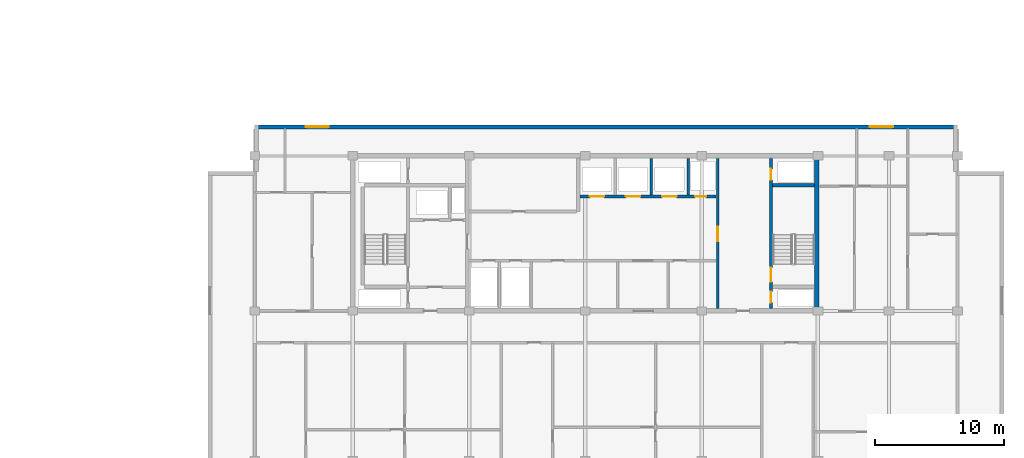
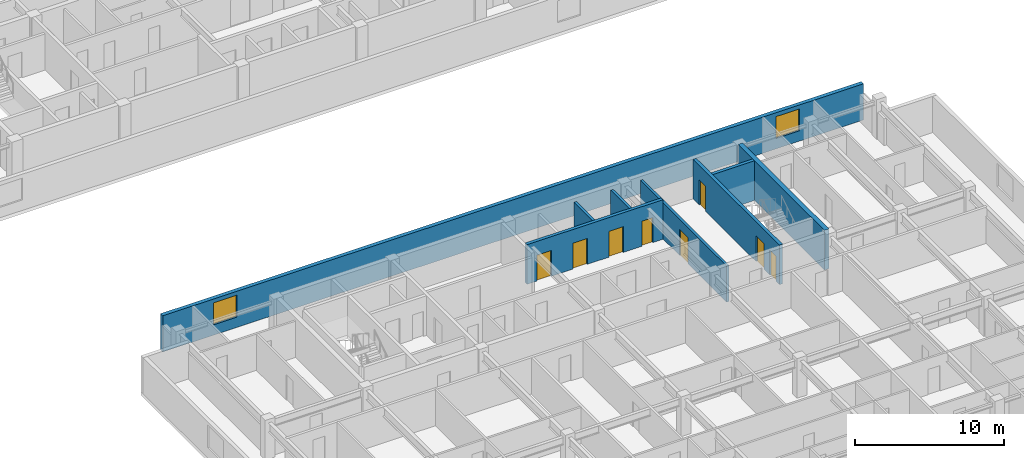
# One storey, part 8 of 23: 8 doors, 8 walls, 2 windows, 10 openings.
"""IFC4 building model written with IfcOpenShell, lengths in metres."""

from ifc_helpers import new_model, si_unit, direction, frame, frame_2d, origin, place, context, subcontext, project, spatial, rectangle, extrude, material, layer, layer_set, type_object, element, fill, save


model = new_model("IFC4")

# Units and contexts
model_context = context("Model", 3, precision=1e-05, world=origin(), true_north=direction((0.0, 1.0)))
body_context = subcontext(model_context, "Body", "Model", "MODEL_VIEW")
ifc_project = project(units=[si_unit("LENGTHUNIT", "METRE"), si_unit("AREAUNIT", "SQUARE_METRE"), si_unit("VOLUMEUNIT", "CUBIC_METRE"), si_unit("PLANEANGLEUNIT", "RADIAN"), si_unit("MASSUNIT", "GRAM", prefix="KILO")], contexts=[model_context])

# Site, building, storey
site_placement = place(None, origin())
site = spatial("IfcSite", under=ifc_project, at=site_placement, CompositionType="ELEMENT")
building_placement = place(site_placement, origin())
building = spatial("IfcBuilding", under=site, at=building_placement, Name="Korimba Cascade Residences", CompositionType="ELEMENT")
storey_placement = place(building_placement, frame((0.0, 0.0, 165.35009765625)))
storey = spatial("IfcBuildingStorey", under=building, at=storey_placement, Name="L47", CompositionType="ELEMENT", Elevation=165.35009765625)

# Wall, openings, windows
ifc_material_1 = material(Name="Precast concrete C40/50", Category="concrete")
ifc_layer_1 = layer(ifc_material_1, 0.300048828125)
ifc_layer_set_1 = layer_set([ifc_layer_1], Name="Precast concrete C40/50")
wall_type_1 = type_object("IfcWallType", Name="EW-STONE-300", PredefinedType="STANDARD", material=ifc_layer_set_1)
wall_1_placement = place(storey_placement, frame((128.89990234375, 32.64990234375, 0.0), z_axis=(0.0, 0.0, 1.0), x_axis=(-1.0, 0.0, 0.0)))
wall_1 = element("IfcWall", 1, at=wall_1_placement, inside=storey, type_object=wall_type_1, Name="L47 T2 Perimeter Stone Wall E06", PredefinedType="STANDARD", context=body_context, shape_type="SweptSolid", body=[
    extrude(rectangle(XDim=54.39990234375, YDim=0.300048828125, at=frame_2d((27.199951171875, 0.0))), origin(), (0.0, 0.0, 1.0), 2.969970703125),
])
opening_1_placement = place(wall_1_placement, frame((48.64990234375, 0.0, 0.85009765625)))
opening_1 = element("IfcOpeningElement", 2, at=opening_1_placement, cuts=wall_1, Name="Opening W-02", PredefinedType="OPENING", context=body_context, shape_type="SweptSolid", body=[
    extrude(rectangle(XDim=1.800048828125, YDim=1.800048828125, at=frame_2d((0.89990234375, 0.89990234375))), frame((0.0, 0.16015625, 0.0), z_axis=(0.0, -1.0, 0.0), x_axis=(1.0, 0.0, 0.0)), (0.0, 0.0, 1.0), 0.320068359375),
])
opening_2_placement = place(wall_1_placement, frame((4.97509765625, 0.0, 0.85009765625)))
opening_2 = element("IfcOpeningElement", 3, at=opening_2_placement, cuts=wall_1, Name="Opening W-02", PredefinedType="OPENING", context=body_context, shape_type="SweptSolid", body=[
    extrude(rectangle(XDim=1.800048828125, YDim=1.800048828125, at=frame_2d((0.89990234375, 0.89990234375))), frame((0.0, 0.16015625, 0.0), z_axis=(0.0, -1.0, 0.0), x_axis=(1.0, 0.0, 0.0)), (0.0, 0.0, 1.0), 0.320068359375),
])
ifc_material_2 = material(Name="Double-Glazed Aluminium Window", Category="aluminium")
window_type = type_object("IfcWindowType", Name="WIN-BED-1800", PartitioningType="SINGLE_PANEL", PredefinedType="WINDOW", material=ifc_material_2)
window_1_placement = place(opening_1_placement, origin())
window_1 = element("IfcWindow", 4, at=window_1_placement, inside=storey, type_object=window_type, Name="L47 T2 North Corner Bedroom Window 1", OverallHeight=1.800048828125, OverallWidth=1.800048828125, PartitioningType="SINGLE_PANEL", PredefinedType="WINDOW", context=body_context, shape_type="SweptSolid", body=[
    extrude(rectangle(XDim=1.800048828125, YDim=1.800048828125, at=frame_2d((0.89990234375, 0.89990234375))), frame((0.0, 0.030029296875, 0.0), z_axis=(0.0, -1.0, 0.0), x_axis=(1.0, 0.0, 0.0)), (0.0, 0.0, 1.0), 0.06005859375),
])
fill(opening_1, window_1)
window_2_placement = place(opening_2_placement, origin())
window_2 = element("IfcWindow", 5, at=window_2_placement, inside=storey, type_object=window_type, Name="L47 T2 North Corner Bedroom Window 2", OverallHeight=1.800048828125, OverallWidth=1.800048828125, PartitioningType="SINGLE_PANEL", PredefinedType="WINDOW", context=body_context, shape_type="SweptSolid", body=[
    extrude(rectangle(XDim=1.800048828125, YDim=1.800048828125, at=frame_2d((0.89990234375, 0.89990234375))), frame((0.0, 0.030029296875, 0.0), z_axis=(0.0, -1.0, 0.0), x_axis=(1.0, 0.0, 0.0)), (0.0, 0.0, 1.0), 0.06005859375),
])
fill(opening_2, window_2)

# Walls
ifc_material_3 = material(Name="Concrete C65/80", Category="concrete")
ifc_layer_2 = layer(ifc_material_3, 0.35009765625)
ifc_layer_set_2 = layer_set([ifc_layer_2], Name="Concrete C65/80")
wall_type_2 = type_object("IfcWallType", Name="WAL-CORE-350", PredefinedType="SHEAR", material=ifc_layer_set_2)
wall_2_placement = place(storey_placement, frame((118.014892578125, 18.574951171875, 0.0), z_axis=(0.0, 0.0, 1.0), x_axis=(0.0, 1.0, 0.0)))
element("IfcWall", 6, at=wall_2_placement, inside=storey, type_object=wall_type_2, Name="L47 Core Shear Wall CW-L47-T2-E", PredefinedType="SHEAR", context=body_context, shape_type="SweptSolid", body=[
    extrude(rectangle(XDim=11.650146484375, YDim=0.35009765625, at=frame_2d((5.8251953125, 0.0))), origin(), (0.0, 0.0, 1.0), 3.25),
])
ifc_material_4 = material(Name="Concrete C40/50", Category="concrete")
ifc_layer_3 = layer(ifc_material_4, 0.199951171875)
ifc_layer_set_3 = layer_set([ifc_layer_3], Name="Concrete C40/50")
wall_type_3 = type_object("IfcWallType", Name="WAL-PART-200", PredefinedType="PARTITIONING", material=ifc_layer_set_3)
for number, where, z_axis, x_axis, name in (
    (7, (105.199951171875, 27.3798828125, 0.0), (0.0, 0.0, 1.0), (0.0, 1.0, 0.0), "L47 Partition Wall CW-L47-T2-B2D2"),
    (8, (108.050048828125, 27.3798828125, 0.0), (0.0, 0.0, 1.0), (0.0, 1.0, 0.0), "L47 Partition Wall CW-L47-T2-B2D3"),
):
    element("IfcWall", number, at=place(storey_placement, frame(where, z_axis=z_axis, x_axis=x_axis)), inside=storey, type_object=wall_type_3, Name=name, PredefinedType="PARTITIONING", context=body_context, shape_type="SweptSolid", body=[
        extrude(rectangle(XDim=2.820068359375, YDim=0.199951171875, at=frame_2d((1.41015625, 0.0))), origin(), (0.0, 0.0, 1.0), 2.969970703125),
    ])

# Wall, opening, door
wall_3_placement = place(storey_placement, frame((110.35009765625, 18.60009765625, 0.0), z_axis=(0.0, 0.0, 1.0), x_axis=(0.0, 1.0, 0.0)))
wall_3 = element("IfcWall", 9, at=wall_3_placement, inside=storey, type_object=wall_type_3, Name="L47 Partition Wall CW-L47-T2-LLEV", PredefinedType="PARTITIONING", context=body_context, shape_type="SweptSolid", body=[
    extrude(rectangle(XDim=11.599853515625, YDim=0.199951171875, at=frame_2d((5.7998046875, 0.0))), origin(), (0.0, 0.0, 1.0), 2.969970703125),
])
opening_3_placement = place(wall_3_placement, frame((5.199951171875, 0.0, 0.0)))
opening_3 = element("IfcOpeningElement", 10, at=opening_3_placement, cuts=wall_3, Name="Opening D-FD6", PredefinedType="OPENING", context=body_context, shape_type="SweptSolid", body=[
    extrude(rectangle(XDim=1.10009765625, YDim=2.14990234375, at=frame_2d((0.550048828125, 1.074951171875))), frame((0.0, 0.10986328125, 0.0), z_axis=(0.0, -1.0, 0.0), x_axis=(1.0, 0.0, 0.0)), (0.0, 0.0, 1.0), 0.219970703125),
])
ifc_material_5 = material(Name="Fire-Rated Timber Stair Lobby Door", Category="wood")
door_type_1 = type_object("IfcDoorType", Name="DR-FD90-1100", OperationType="NOTDEFINED", PredefinedType="DOOR", material=ifc_material_5)
door_1_placement = place(opening_3_placement, origin())
door_1 = element("IfcDoor", 11, at=door_1_placement, inside=storey, type_object=door_type_1, Name="L47 T2 Lift Lobby to East Stair Lobby Door", OperationType="SINGLE_SWING_RIGHT", OverallHeight=2.14990234375, OverallWidth=1.10009765625, PredefinedType="DOOR", context=body_context, shape_type="SweptSolid", body=[
    extrude(rectangle(XDim=1.10009765625, YDim=2.14990234375, at=frame_2d((0.550048828125, 1.074951171875))), frame((0.0, 0.02490234375, 0.0), z_axis=(0.0, -1.0, 0.0), x_axis=(1.0, 0.0, 0.0)), (0.0, 0.0, 1.0), 0.050048828125),
])
fill(opening_3, door_1)

# Wall, openings, doors
ifc_material_6 = material(Name="Concrete C50/60", Category="concrete")
ifc_layer_4 = layer(ifc_material_6, 0.25)
ifc_layer_set_4 = layer_set([ifc_layer_4], Name="Concrete C50/60")
wall_type_4 = type_object("IfcWallType", Name="WAL-SHAFT-250", PredefinedType="SHEAR", material=ifc_layer_set_4)
wall_4_placement = place(storey_placement, frame((99.679931640625, 27.25, 0.0), z_axis=(0.0, 0.0, 1.0), x_axis=(1.0, 0.0, 0.0)))
wall_4 = element("IfcWall", 12, at=wall_4_placement, inside=storey, type_object=wall_type_4, Name="L47 Core Shear Wall CW-L47-T2-B2S", PredefinedType="SHEAR", context=body_context, shape_type="SweptSolid", body=[
    extrude(rectangle(XDim=10.5400390625, YDim=0.25, at=frame_2d((5.27001953125, 0.0))), origin(), (0.0, 0.0, 1.0), 3.25),
])
opening_4_placement = place(wall_4_placement, frame((0.760009765625, 0.0, 0.0)))
opening_4 = element("IfcOpeningElement", 13, at=opening_4_placement, cuts=wall_4, Name="Opening LD-01", PredefinedType="OPENING", context=body_context, shape_type="SweptSolid", body=[
    extrude(rectangle(XDim=1.1201171875, YDim=2.1201171875, at=frame_2d((0.56005859375, 1.06005859375))), frame((0.0, 0.135009765625, 0.0), z_axis=(0.0, -1.0, 0.0), x_axis=(1.0, 0.0, 0.0)), (0.0, 0.0, 1.0), 0.27001953125),
])
opening_5_placement = place(wall_4_placement, frame((3.56005859375, 0.0, 0.0)))
opening_5 = element("IfcOpeningElement", 14, at=opening_5_placement, cuts=wall_4, Name="Opening LD-01", PredefinedType="OPENING", context=body_context, shape_type="SweptSolid", body=[
    extrude(rectangle(XDim=1.1201171875, YDim=2.1201171875, at=frame_2d((0.56005859375, 1.06005859375))), frame((0.0, 0.135009765625, 0.0), z_axis=(0.0, -1.0, 0.0), x_axis=(1.0, 0.0, 0.0)), (0.0, 0.0, 1.0), 0.27001953125),
])
opening_6_placement = place(wall_4_placement, frame((6.360107421875, 0.0, 0.0)))
opening_6 = element("IfcOpeningElement", 15, at=opening_6_placement, cuts=wall_4, Name="Opening LD-01", PredefinedType="OPENING", context=body_context, shape_type="SweptSolid", body=[
    extrude(rectangle(XDim=1.1201171875, YDim=2.1201171875, at=frame_2d((0.56005859375, 1.06005859375))), frame((0.0, 0.135009765625, 0.0), z_axis=(0.0, -1.0, 0.0), x_axis=(1.0, 0.0, 0.0)), (0.0, 0.0, 1.0), 0.27001953125),
])
opening_7_placement = place(wall_4_placement, frame((8.919921875, 0.0, 0.0)))
opening_7 = element("IfcOpeningElement", 16, at=opening_7_placement, cuts=wall_4, Name="Opening D-RS1", PredefinedType="OPENING", context=body_context, shape_type="SweptSolid", body=[
    extrude(rectangle(XDim=0.85009765625, YDim=2.050048828125, at=frame_2d((0.425048828125, 1.02490234375))), frame((0.0, 0.135009765625, 0.0), z_axis=(0.0, -1.0, 0.0), x_axis=(1.0, 0.0, 0.0)), (0.0, 0.0, 1.0), 0.27001953125),
])
ifc_material_7 = material(Name="Fire-Rated Steel Riser Access Door", Category="steel")
door_type_2 = type_object("IfcDoorType", Name="DR-FD60-850", OperationType="NOTDEFINED", PredefinedType="DOOR", material=ifc_material_7)
door_2_placement = place(opening_7_placement, origin())
door_2 = element("IfcDoor", 17, at=door_2_placement, inside=storey, type_object=door_type_2, Name="L47 T2 Duct Door", OperationType="SINGLE_SWING_LEFT", OverallHeight=2.050048828125, OverallWidth=0.85009765625, PredefinedType="DOOR", context=body_context, shape_type="SweptSolid", body=[
    extrude(rectangle(XDim=0.85009765625, YDim=2.050048828125, at=frame_2d((0.425048828125, 1.02490234375))), frame((0.0, 0.02490234375, 0.0), z_axis=(0.0, -1.0, 0.0), x_axis=(1.0, 0.0, 0.0)), (0.0, 0.0, 1.0), 0.050048828125),
])
fill(opening_7, door_2)
ifc_material_8 = material(Name="Stainless Steel Lift Landing Sliding Door", Category="steel")
door_type_3 = type_object("IfcDoorType", Name="DR-LIFT-1100", OperationType="NOTDEFINED", PredefinedType="DOOR", material=ifc_material_8)
door_3_placement = place(opening_4_placement, origin())
door_3 = element("IfcDoor", 18, at=door_3_placement, inside=storey, type_object=door_type_3, Name="L47 Lift Landing Door PL-E4", OperationType="SLIDING_TO_RIGHT", OverallHeight=2.1201171875, OverallWidth=1.1201171875, PredefinedType="DOOR", context=body_context, shape_type="SweptSolid", body=[
    extrude(rectangle(XDim=1.1201171875, YDim=2.1201171875, at=frame_2d((0.56005859375, 1.06005859375))), frame((0.0, 0.02490234375, 0.0), z_axis=(0.0, -1.0, 0.0), x_axis=(1.0, 0.0, 0.0)), (0.0, 0.0, 1.0), 0.050048828125),
])
fill(opening_4, door_3)
door_4_placement = place(opening_5_placement, origin())
door_4 = element("IfcDoor", 19, at=door_4_placement, inside=storey, type_object=door_type_3, Name="L47 Lift Landing Door PL-E5", OperationType="SLIDING_TO_RIGHT", OverallHeight=2.1201171875, OverallWidth=1.1201171875, PredefinedType="DOOR", context=body_context, shape_type="SweptSolid", body=[
    extrude(rectangle(XDim=1.1201171875, YDim=2.1201171875, at=frame_2d((0.56005859375, 1.06005859375))), frame((0.0, 0.02490234375, 0.0), z_axis=(0.0, -1.0, 0.0), x_axis=(1.0, 0.0, 0.0)), (0.0, 0.0, 1.0), 0.050048828125),
])
fill(opening_5, door_4)
door_5_placement = place(opening_6_placement, origin())
door_5 = element("IfcDoor", 20, at=door_5_placement, inside=storey, type_object=door_type_3, Name="L47 Lift Landing Door PL-E6", OperationType="SLIDING_TO_RIGHT", OverallHeight=2.1201171875, OverallWidth=1.1201171875, PredefinedType="DOOR", context=body_context, shape_type="SweptSolid", body=[
    extrude(rectangle(XDim=1.1201171875, YDim=2.1201171875, at=frame_2d((0.56005859375, 1.06005859375))), frame((0.0, 0.02490234375, 0.0), z_axis=(0.0, -1.0, 0.0), x_axis=(1.0, 0.0, 0.0)), (0.0, 0.0, 1.0), 0.050048828125),
])
fill(opening_6, door_5)

wall_5_placement = place(storey_placement, frame((114.47509765625, 18.60009765625, 0.0), z_axis=(0.0, 0.0, 1.0), x_axis=(0.0, 1.0, 0.0)))
wall_5 = element("IfcWall", 21, at=wall_5_placement, inside=storey, type_object=wall_type_4, Name="L47 Core Shear Wall CW-L47-T2-STE2W", PredefinedType="SHEAR", context=body_context, shape_type="SweptSolid", body=[
    extrude(rectangle(XDim=11.599853515625, YDim=0.25, at=frame_2d((5.7998046875, 0.0))), origin(), (0.0, 0.0, 1.0), 3.25),
])
opening_8_placement = place(wall_5_placement, frame((0.449951171875, 0.0, 0.0)))
opening_8 = element("IfcOpeningElement", 22, at=opening_8_placement, cuts=wall_5, Name="Opening D-RS1", PredefinedType="OPENING", context=body_context, shape_type="SweptSolid", body=[
    extrude(rectangle(XDim=0.85009765625, YDim=2.050048828125, at=frame_2d((0.425048828125, 1.02490234375))), frame((0.0, 0.135009765625, 0.0), z_axis=(0.0, -1.0, 0.0), x_axis=(1.0, 0.0, 0.0)), (0.0, 0.0, 1.0), 0.27001953125),
])
opening_9_placement = place(wall_5_placement, frame((2.050048828125, 0.0, 0.0)))
opening_9 = element("IfcOpeningElement", 23, at=opening_9_placement, cuts=wall_5, Name="Opening D-FD1", PredefinedType="OPENING", context=body_context, shape_type="SweptSolid", body=[
    extrude(rectangle(XDim=1.10009765625, YDim=2.10009765625, at=frame_2d((0.550048828125, 1.050048828125))), frame((0.0, 0.135009765625, 0.0), z_axis=(0.0, -1.0, 0.0), x_axis=(1.0, 0.0, 0.0)), (0.0, 0.0, 1.0), 0.27001953125),
])
opening_10_placement = place(wall_5_placement, frame((9.949951171875, 0.0, 0.0)))
opening_10 = element("IfcOpeningElement", 24, at=opening_10_placement, cuts=wall_5, Name="Opening D-RS1", PredefinedType="OPENING", context=body_context, shape_type="SweptSolid", body=[
    extrude(rectangle(XDim=0.85009765625, YDim=2.050048828125, at=frame_2d((0.425048828125, 1.02490234375))), frame((0.0, 0.135009765625, 0.0), z_axis=(0.0, -1.0, 0.0), x_axis=(1.0, 0.0, 0.0)), (0.0, 0.0, 1.0), 0.27001953125),
])
ifc_material_9 = material(Name="Fire-Rated Steel Core Door", Category="steel")
door_type_4 = type_object("IfcDoorType", Name="DR-FD120-1100", OperationType="NOTDEFINED", PredefinedType="DOOR", material=ifc_material_9)
door_6_placement = place(opening_9_placement, origin())
door_6 = element("IfcDoor", 25, at=door_6_placement, inside=storey, type_object=door_type_4, Name="L47 Fire Stair ST-E2 Door", OperationType="SINGLE_SWING_RIGHT", OverallHeight=2.10009765625, OverallWidth=1.10009765625, PredefinedType="DOOR", context=body_context, shape_type="SweptSolid", body=[
    extrude(rectangle(XDim=1.10009765625, YDim=2.10009765625, at=frame_2d((0.550048828125, 1.050048828125))), frame((0.0, 0.02490234375, 0.0), z_axis=(0.0, -1.0, 0.0), x_axis=(1.0, 0.0, 0.0)), (0.0, 0.0, 1.0), 0.050048828125),
])
fill(opening_9, door_6)
door_7_placement = place(opening_8_placement, origin())
door_7 = element("IfcDoor", 26, at=door_7_placement, inside=storey, type_object=door_type_2, Name="L47 T2 East Hydrant Door", OperationType="SINGLE_SWING_LEFT", OverallHeight=2.050048828125, OverallWidth=0.85009765625, PredefinedType="DOOR", context=body_context, shape_type="SweptSolid", body=[
    extrude(rectangle(XDim=0.85009765625, YDim=2.050048828125, at=frame_2d((0.425048828125, 1.02490234375))), frame((0.0, 0.02490234375, 0.0), z_axis=(0.0, -1.0, 0.0), x_axis=(1.0, 0.0, 0.0)), (0.0, 0.0, 1.0), 0.050048828125),
])
fill(opening_8, door_7)
door_8_placement = place(opening_10_placement, origin())
door_8 = element("IfcDoor", 27, at=door_8_placement, inside=storey, type_object=door_type_2, Name="L47 T2 East Riser Door", OperationType="SINGLE_SWING_LEFT", OverallHeight=2.050048828125, OverallWidth=0.85009765625, PredefinedType="DOOR", context=body_context, shape_type="SweptSolid", body=[
    extrude(rectangle(XDim=0.85009765625, YDim=2.050048828125, at=frame_2d((0.425048828125, 1.02490234375))), frame((0.0, 0.02490234375, 0.0), z_axis=(0.0, -1.0, 0.0), x_axis=(1.0, 0.0, 0.0)), (0.0, 0.0, 1.0), 0.050048828125),
])
fill(opening_10, door_8)

# Wall
wall_6_placement = place(storey_placement, frame((114.60009765625, 28.125, 0.0), z_axis=(0.0, 0.0, 1.0), x_axis=(1.0, 0.0, 0.0)))
element("IfcWall", 28, at=wall_6_placement, inside=storey, type_object=wall_type_4, Name="L47 Core Shear Wall CW-L47-T2-STE2N", PredefinedType="SHEAR", context=body_context, shape_type="SweptSolid", body=[
    extrude(rectangle(XDim=3.239990234375, YDim=0.25, at=frame_2d((1.6201171875, 0.0))), origin(), (0.0, 0.0, 1.0), 3.25),
])

save(model, "model.ifc")
